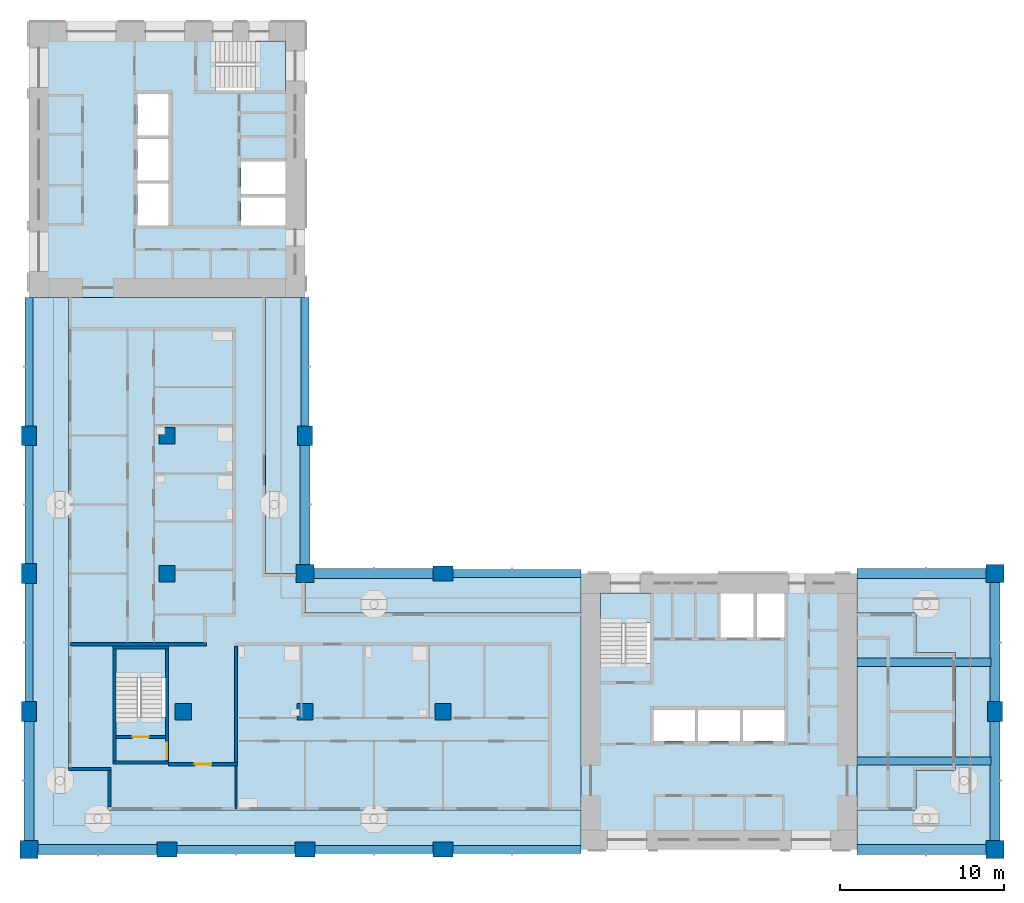
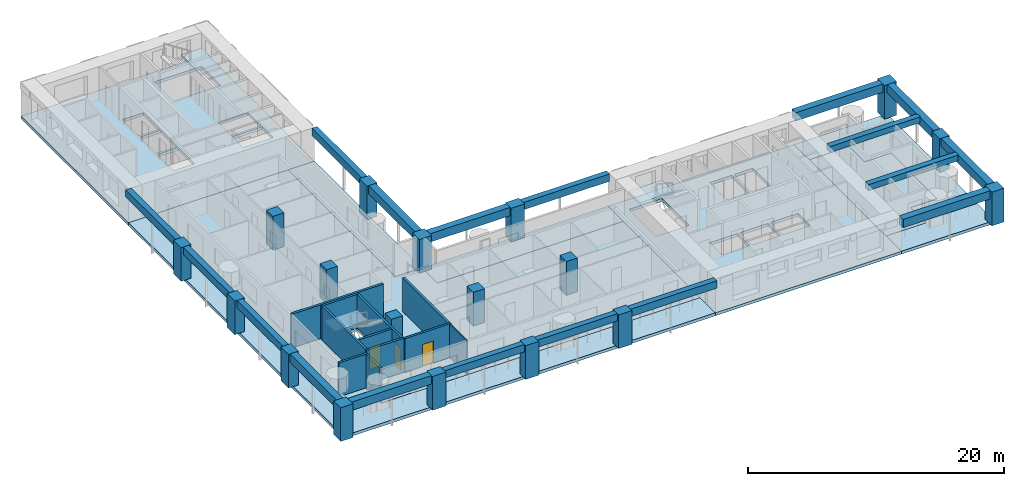
# One storey, part 1 of 13: 18 beams, 18 columns, 12 slabs, 11 walls, 3 doors, 3 openings, 3 elements without a shape of their own.
"""IFC4 building model written with IfcOpenShell, lengths in metres."""

from ifc_helpers import new_model, si_unit, direction, frame, frame_2d, origin, origin_2d, place, context, subcontext, project, spatial, polyline, rectangle, outline, extrude, material, layer, layer_set, material_profile, profile_set, type_object, element, fill, aggregate, save


model = new_model("IFC4")

# Units and contexts
model_context = context("Model", 3, precision=1e-05, world=origin(), true_north=direction((0.0, 1.0)))
body_context = subcontext(model_context, "Body", "Model", "MODEL_VIEW")
ifc_project = project(units=[si_unit("LENGTHUNIT", "METRE"), si_unit("AREAUNIT", "SQUARE_METRE"), si_unit("VOLUMEUNIT", "CUBIC_METRE"), si_unit("PLANEANGLEUNIT", "RADIAN"), si_unit("MASSUNIT", "GRAM", prefix="KILO")], contexts=[model_context])

# Site, building, storey
site_placement = place(None, origin())
site = spatial("IfcSite", under=ifc_project, at=site_placement, CompositionType="ELEMENT")
building_placement = place(site_placement, origin())
building = spatial("IfcBuilding", under=site, at=building_placement, Name="Vermilion Gate Residences", CompositionType="ELEMENT")
storey_placement = place(building_placement, frame((0.0, 0.0, 161.699951171875)))
storey = spatial("IfcBuildingStorey", under=building, at=storey_placement, Name="L41", CompositionType="ELEMENT", Elevation=161.699951171875)

# Columns
ifc_material_1 = material(Name="Concrete C60", Category="concrete")
ifc_material_profile_1 = material_profile(ifc_material_1, rectangle(XDim=1.0, YDim=1.0, at=origin_2d()), Name="RC-1000x1000")
ifc_profile_set_1 = profile_set([ifc_material_profile_1], Name="Concrete C60")
column_type_1 = type_object("IfcColumnType", Name="RC COLUMN 1000 X 1000 C60", PredefinedType="COLUMN", material=ifc_profile_set_1)
for number, where, z_axis, x_axis, name in (
    (1, (17.800048828125, 16.800048828125, 0.0), (0.0, 0.0, 1.0), (1.0, 0.0, 0.0), "Column 3-C L41"),
    (2, (16.800048828125, 25.199951171875, 0.0), (0.0, 0.0, 1.0), (1.0, 0.0, 0.0), "Column 3-D L41"),
    (3, (16.800048828125, 33.60009765625, 0.0), (0.0, 0.0, 1.0), (1.0, 0.0, 0.0), "Column 3-E L41"),
    (4, (25.199951171875, 16.800048828125, 0.0), (0.0, 0.0, 1.0), (1.0, 0.0, 0.0), "Column 4-C L41"),
    (5, (33.60009765625, 16.800048828125, 0.0), (0.0, 0.0, 1.0), (1.0, 0.0, 0.0), "Column 5-C L41"),
):
    element("IfcColumn", number, at=place(storey_placement, frame(where, z_axis=z_axis, x_axis=x_axis)), inside=storey, type_object=column_type_1, Name=name, PredefinedType="COLUMN", context=body_context, shape_type="SweptSolid", body=[
        extrude(rectangle(XDim=1.0, YDim=1.0, at=origin_2d()), origin(), (0.0, 0.0, 1.0), 3.219970703125),
    ])
ifc_material_2 = material(Name="Concrete C60", Category="concrete")
ifc_material_profile_2 = material_profile(ifc_material_2, rectangle(XDim=1.10009765625, YDim=1.10009765625, at=origin_2d()), Name="RC-1100x1100")
ifc_profile_set_2 = profile_set([ifc_material_profile_2], Name="Concrete C60")
column_type_2 = type_object("IfcColumnType", Name="RC COLUMN 1100 X 1100 C60", PredefinedType="COLUMN", material=ifc_profile_set_2)
for number, where, z_axis, x_axis, name in (
    (6, (8.39990234375, 8.39990234375, 0.0), (0.0, 0.0, 1.0), (1.0, 0.0, 0.0), "Column 2-B L41"),
    (7, (25.199951171875, 25.199951171875, 0.0), (0.0, 0.0, 1.0), (1.0, 0.0, 0.0), "Column 4-D L41"),
    (8, (67.199951171875, 8.39990234375, 0.0), (0.0, 0.0, 1.0), (1.0, 0.0, 0.0), "Column 9-B L41"),
    (9, (67.199951171875, 25.199951171875, 0.0), (0.0, 0.0, 1.0), (1.0, 0.0, 0.0), "Column 9-D L41"),
):
    element("IfcColumn", number, at=place(storey_placement, frame(where, z_axis=z_axis, x_axis=x_axis)), inside=storey, type_object=column_type_2, Name=name, PredefinedType="COLUMN", context=body_context, shape_type="SweptSolid", body=[
        extrude(rectangle(XDim=1.10009765625, YDim=1.10009765625, at=origin_2d()), origin(), (0.0, 0.0, 1.0), 3.219970703125),
    ])
ifc_material_3 = material(Name="Concrete C60", Category="concrete")
ifc_material_profile_3 = material_profile(ifc_material_3, rectangle(XDim=1.199951171875, YDim=0.89990234375, at=origin_2d()), Name="RC-1200x900")
ifc_profile_set_3 = profile_set([ifc_material_profile_3], Name="Concrete C60")
column_type_3 = type_object("IfcColumnType", Name="RC COLUMN 1200 X 900 C60", PredefinedType="COLUMN", material=ifc_profile_set_3)
for number, where, z_axis, x_axis, name in (
    (10, (8.39990234375, 16.800048828125, 0.0), (0.0, 0.0, 1.0), (0.0, 1.0, 0.0), "Column 2-C L41"),
    (11, (8.39990234375, 25.199951171875, 0.0), (0.0, 0.0, 1.0), (0.0, 1.0, 0.0), "Column 2-D L41"),
    (12, (8.39990234375, 33.60009765625, 0.0), (0.0, 0.0, 1.0), (0.0, 1.0, 0.0), "Column 2-E L41"),
    (13, (16.800048828125, 8.39990234375, 0.0), (0.0, 0.0, 1.0), (1.0, 0.0, 0.0), "Column 3-B L41"),
    (14, (25.199951171875, 8.39990234375, 0.0), (0.0, 0.0, 1.0), (1.0, 0.0, 0.0), "Column 4-B L41"),
    (15, (25.199951171875, 33.60009765625, 0.0), (0.0, 0.0, 1.0), (0.0, 1.0, 0.0), "Column 4-E L41"),
    (16, (33.60009765625, 8.39990234375, 0.0), (0.0, 0.0, 1.0), (1.0, 0.0, 0.0), "Column 5-B L41"),
    (17, (33.60009765625, 25.199951171875, 0.0), (0.0, 0.0, 1.0), (1.0, 0.0, 0.0), "Column 5-D L41"),
    (18, (67.199951171875, 16.800048828125, 0.0), (0.0, 0.0, 1.0), (0.0, 1.0, 0.0), "Column 9-C L41"),
):
    element("IfcColumn", number, at=place(storey_placement, frame(where, z_axis=z_axis, x_axis=x_axis)), inside=storey, type_object=column_type_3, Name=name, PredefinedType="COLUMN", context=body_context, shape_type="SweptSolid", body=[
        extrude(rectangle(XDim=1.199951171875, YDim=0.89990234375, at=origin_2d()), origin(), (0.0, 0.0, 1.0), 3.219970703125),
    ])

# Beams
ifc_material_4 = material(Name="Concrete C60 red-oxide pigmented", Category="concrete")
ifc_material_profile_4 = material_profile(ifc_material_4, rectangle(XDim=0.60009765625, YDim=0.800048828125, at=origin_2d()), Name="RC-600x800")
ifc_profile_set_4 = profile_set([ifc_material_profile_4], Name="Concrete C60 red-oxide pigmented")
beam_type_1 = type_object("IfcBeamType", Name="RC CORNER EDGE BEAM 600 X 800 C60", PredefinedType="BEAM", material=ifc_profile_set_4)
for number, where, z_axis, x_axis, name in (
    (19, (8.949951171875, 8.39990234375, 2.820068359375), (1.0, 0.0, 0.0), (0.0, 1.0, 0.0), "Corner edge beam L41 1"),
    (20, (8.39990234375, 8.949951171875, 2.820068359375), (0.0, 1.0, 0.0), (-1.0, 0.0, 0.0), "Corner edge beam L41 2"),
    (21, (25.199951171875, 25.75, 2.820068359375), (0.0, 1.0, 0.0), (-1.0, 0.0, 0.0), "Corner edge beam L41 7"),
    (22, (25.75, 25.199951171875, 2.820068359375), (1.0, 0.0, 0.0), (0.0, 1.0, 0.0), "Corner edge beam L41 10"),
):
    element("IfcBeam", number, at=place(storey_placement, frame(where, z_axis=z_axis, x_axis=x_axis)), inside=storey, type_object=beam_type_1, Name=name, PredefinedType="BEAM", context=body_context, shape_type="SweptSolid", body=[
        extrude(rectangle(XDim=0.60009765625, YDim=0.800048828125, at=origin_2d()), origin(), (0.0, 0.0, 1.0), 7.25),
    ])
beam_1_placement = place(storey_placement, frame((58.800048828125, 8.39990234375, 2.820068359375), z_axis=(1.0, 0.0, 0.0), x_axis=(0.0, 1.0, 0.0)))
element("IfcBeam", 23, at=beam_1_placement, inside=storey, type_object=beam_type_1, Name="Corner edge beam L41 13", PredefinedType="BEAM", context=body_context, shape_type="SweptSolid", body=[
    extrude(rectangle(XDim=0.60009765625, YDim=0.800048828125, at=origin_2d()), origin(), (0.0, 0.0, 1.0), 7.849853515625),
])
for number, where, z_axis, x_axis, name in (
    (24, (67.199951171875, 8.949951171875, 2.820068359375), (0.0, 1.0, 0.0), (-1.0, 0.0, 0.0), "Corner edge beam L41 14"),
    (25, (67.199951171875, 17.39990234375, 2.820068359375), (0.0, 1.0, 0.0), (-1.0, 0.0, 0.0), "Corner edge beam L41 15"),
):
    element("IfcBeam", number, at=place(storey_placement, frame(where, z_axis=z_axis, x_axis=x_axis)), inside=storey, type_object=beam_type_1, Name=name, PredefinedType="BEAM", context=body_context, shape_type="SweptSolid", body=[
        extrude(rectangle(XDim=0.60009765625, YDim=0.800048828125, at=origin_2d()), origin(), (0.0, 0.0, 1.0), 7.25),
    ])
beam_2_placement = place(storey_placement, frame((58.800048828125, 25.199951171875, 2.820068359375), z_axis=(1.0, 0.0, 0.0), x_axis=(0.0, 1.0, 0.0)))
element("IfcBeam", 26, at=beam_2_placement, inside=storey, type_object=beam_type_1, Name="Corner edge beam L41 16", PredefinedType="BEAM", context=body_context, shape_type="SweptSolid", body=[
    extrude(rectangle(XDim=0.60009765625, YDim=0.800048828125, at=origin_2d()), origin(), (0.0, 0.0, 1.0), 7.849853515625),
])
ifc_material_5 = material(Name="Concrete C60 red-oxide pigmented", Category="concrete")
ifc_material_profile_5 = material_profile(ifc_material_5, rectangle(XDim=0.5, YDim=0.699951171875, at=origin_2d()), Name="RC-500x700")
ifc_profile_set_5 = profile_set([ifc_material_profile_5], Name="Concrete C60 red-oxide pigmented")
beam_type_2 = type_object("IfcBeamType", Name="RC EDGE BEAM 500 X 700 C60", PredefinedType="BEAM", material=ifc_profile_set_5)
beam_3_placement = place(storey_placement, frame((8.39990234375, 17.39990234375, 2.8701171875), z_axis=(0.0, 1.0, 0.0), x_axis=(-1.0, 0.0, 0.0)))
element("IfcBeam", 27, at=beam_3_placement, inside=storey, type_object=beam_type_2, Name="Edge beam L41 3", PredefinedType="BEAM", context=body_context, shape_type="SweptSolid", body=[
    extrude(rectangle(XDim=0.5, YDim=0.699951171875, at=origin_2d()), origin(), (0.0, 0.0, 1.0), 7.2001953125),
])
beam_4_placement = place(storey_placement, frame((8.39990234375, 25.800048828125, 2.8701171875), z_axis=(0.0, 1.0, 0.0), x_axis=(-1.0, 0.0, 0.0)))
element("IfcBeam", 28, at=beam_4_placement, inside=storey, type_object=beam_type_2, Name="Edge beam L41 4", PredefinedType="BEAM", context=body_context, shape_type="SweptSolid", body=[
    extrude(rectangle(XDim=0.5, YDim=0.699951171875, at=origin_2d()), origin(), (0.0, 0.0, 1.0), 7.199951171875),
])
beam_5_placement = place(storey_placement, frame((8.39990234375, 34.199951171875, 2.8701171875), z_axis=(0.0, 1.0, 0.0), x_axis=(-1.0, 0.0, 0.0)))
element("IfcBeam", 29, at=beam_5_placement, inside=storey, type_object=beam_type_2, Name="Edge beam L41 5", PredefinedType="BEAM", context=body_context, shape_type="SweptSolid", body=[
    extrude(rectangle(XDim=0.5, YDim=0.699951171875, at=origin_2d()), origin(), (0.0, 0.0, 1.0), 7.800048828125),
])
beam_6_placement = place(storey_placement, frame((17.39990234375, 8.39990234375, 2.8701171875), z_axis=(1.0, 0.0, 0.0), x_axis=(0.0, 1.0, 0.0)))
element("IfcBeam", 30, at=beam_6_placement, inside=storey, type_object=beam_type_2, Name="Edge beam L41 6", PredefinedType="BEAM", context=body_context, shape_type="SweptSolid", body=[
    extrude(rectangle(XDim=0.5, YDim=0.699951171875, at=origin_2d()), origin(), (0.0, 0.0, 1.0), 7.2001953125),
])
beam_7_placement = place(storey_placement, frame((25.199951171875, 34.199951171875, 2.8701171875), z_axis=(0.0, 1.0, 0.0), x_axis=(-1.0, 0.0, 0.0)))
element("IfcBeam", 31, at=beam_7_placement, inside=storey, type_object=beam_type_2, Name="Edge beam L41 8", PredefinedType="BEAM", context=body_context, shape_type="SweptSolid", body=[
    extrude(rectangle(XDim=0.5, YDim=0.699951171875, at=origin_2d()), origin(), (0.0, 0.0, 1.0), 7.800048828125),
])
beam_8_placement = place(storey_placement, frame((25.800048828125, 8.39990234375, 2.8701171875), z_axis=(1.0, 0.0, 0.0), x_axis=(0.0, 1.0, 0.0)))
element("IfcBeam", 32, at=beam_8_placement, inside=storey, type_object=beam_type_2, Name="Edge beam L41 9", PredefinedType="BEAM", context=body_context, shape_type="SweptSolid", body=[
    extrude(rectangle(XDim=0.5, YDim=0.699951171875, at=origin_2d()), origin(), (0.0, 0.0, 1.0), 7.199951171875),
])
for number, where, z_axis, x_axis, name in (
    (33, (34.199951171875, 8.39990234375, 2.8701171875), (1.0, 0.0, 0.0), (0.0, 1.0, 0.0), "Edge beam L41 11"),
    (34, (34.199951171875, 25.199951171875, 2.8701171875), (1.0, 0.0, 0.0), (0.0, 1.0, 0.0), "Edge beam L41 12"),
):
    element("IfcBeam", number, at=place(storey_placement, frame(where, z_axis=z_axis, x_axis=x_axis)), inside=storey, type_object=beam_type_2, Name=name, PredefinedType="BEAM", context=body_context, shape_type="SweptSolid", body=[
        extrude(rectangle(XDim=0.5, YDim=0.699951171875, at=origin_2d()), origin(), (0.0, 0.0, 1.0), 7.800048828125),
    ])
ifc_material_6 = material(Name="Concrete C60", Category="concrete")
ifc_material_profile_6 = material_profile(ifc_material_6, rectangle(XDim=0.5, YDim=0.550048828125, at=origin_2d()), Name="RC-500x550")
ifc_profile_set_6 = profile_set([ifc_material_profile_6], Name="Concrete C60")
beam_type_3 = type_object("IfcBeamType", Name="RC WING BEAM 500 X 550 C60", PredefinedType="BEAM", material=ifc_profile_set_6)
for number, where, z_axis, x_axis, name in (
    (35, (58.800048828125, 13.800048828125, 2.945068359375), (1.0, 0.0, 0.0), (0.0, 1.0, 0.0), "Wing-end beam L41 1"),
    (36, (58.800048828125, 19.800048828125, 2.945068359375), (1.0, 0.0, 0.0), (0.0, 1.0, 0.0), "Wing-end beam L41 2"),
):
    element("IfcBeam", number, at=place(storey_placement, frame(where, z_axis=z_axis, x_axis=x_axis)), inside=storey, type_object=beam_type_3, Name=name, PredefinedType="BEAM", context=body_context, shape_type="SweptSolid", body=[
        extrude(rectangle(XDim=0.5, YDim=0.550048828125, at=origin_2d()), origin(), (0.0, 0.0, 1.0), 8.14990234375),
    ])

# Slabs
ifc_material_7 = material(Name="Concrete C50", Category="concrete")
ifc_layer_1 = layer(ifc_material_7, 0.280029296875)
ifc_layer_set_1 = layer_set([ifc_layer_1], Name="RC CORE FLOOR SLAB 280 C50")
slab_type_1 = type_object("IfcSlabType", Name="RC CORE FLOOR SLAB 280 C50", PredefinedType="FLOOR", material=ifc_layer_set_1)
slab_1_placement = place(storey_placement, frame((0.0, 0.0, -0.280029296875)))
element("IfcSlab", 37, at=slab_1_placement, inside=storey, type_object=slab_type_1, Name="Core floor slab A41", PredefinedType="FLOOR", context=body_context, shape_type="SweptSolid", body=[
    extrude(outline(polyline([(42.0, 8.39990234375), (58.800048828125, 8.39990234375), (58.800048828125, 25.199951171875), (42.0, 25.199951171875), (42.0, 8.39990234375)]), holes=[polyline([(46.39990234375, 15.0), (46.39990234375, 16.89990234375), (48.933349609375, 16.89990234375), (48.933349609375, 15.0), (46.39990234375, 15.0)]), polyline([(49.13330078125, 16.89990234375), (51.666748046875, 16.89990234375), (51.666748046875, 15.0), (49.13330078125, 15.0), (49.13330078125, 16.89990234375)]), polyline([(51.86669921875, 16.89990234375), (54.39990234375, 16.89990234375), (54.39990234375, 15.0), (51.86669921875, 15.0), (51.86669921875, 16.89990234375)]), polyline([(43.199951171875, 19.75), (43.199951171875, 24.0), (46.199951171875, 24.0), (46.199951171875, 19.75), (43.199951171875, 19.75)]), polyline([(50.5, 24.0), (52.5, 24.0), (52.5, 21.300048828125), (50.5, 21.300048828125), (50.5, 24.0)]), polyline([(52.699951171875, 24.0), (54.39990234375, 24.0), (54.39990234375, 21.300048828125), (52.699951171875, 21.300048828125), (52.699951171875, 24.0)])]), origin(), (0.0, 0.0, 1.0), 0.280029296875),
])
slab_2_placement = place(storey_placement, frame((0.0, 0.0, -0.280029296875)))
element("IfcSlab", 38, at=slab_2_placement, inside=storey, type_object=slab_type_1, Name="Core floor slab B41", PredefinedType="FLOOR", context=body_context, shape_type="SweptSolid", body=[
    extrude(outline(polyline([(8.39990234375, 42.0), (25.199951171875, 42.0), (25.199951171875, 58.800048828125), (8.39990234375, 58.800048828125), (8.39990234375, 42.0)]), holes=[polyline([(21.300048828125, 46.39990234375), (21.300048828125, 48.10009765625), (24.0, 48.10009765625), (24.0, 46.39990234375), (21.300048828125, 46.39990234375)]), polyline([(15.0, 48.933349609375), (16.89990234375, 48.933349609375), (16.89990234375, 46.39990234375), (15.0, 46.39990234375), (15.0, 48.933349609375)]), polyline([(21.300048828125, 50.300048828125), (24.0, 50.300048828125), (24.0, 48.300048828125), (21.300048828125, 48.300048828125), (21.300048828125, 50.300048828125)]), polyline([(15.0, 49.13330078125), (15.0, 51.666748046875), (16.89990234375, 51.666748046875), (16.89990234375, 49.13330078125), (15.0, 49.13330078125)]), polyline([(15.0, 54.39990234375), (16.89990234375, 54.39990234375), (16.89990234375, 51.86669921875), (15.0, 51.86669921875), (15.0, 54.39990234375)]), polyline([(19.75, 57.60009765625), (24.0, 57.60009765625), (24.0, 54.60009765625), (19.75, 54.60009765625), (19.75, 57.60009765625)])]), origin(), (0.0, 0.0, 1.0), 0.280029296875),
])
slab_3_placement = place(storey_placement, frame((0.0, 0.0, -0.280029296875)))
element("IfcSlab", 39, at=slab_3_placement, inside=storey, type_object=slab_type_1, Name="Apex stair floor slab 41", PredefinedType="FLOOR", context=body_context, shape_type="SweptSolid", body=[
    extrude(outline(polyline([(13.5, 13.60009765625), (16.89990234375, 13.60009765625), (16.89990234375, 20.800048828125), (13.5, 20.800048828125), (13.5, 13.60009765625)]), holes=[polyline([(16.699951171875, 20.60009765625), (16.699951171875, 16.449951171875), (13.699951171875, 16.449951171875), (13.699951171875, 20.60009765625), (16.699951171875, 20.60009765625)])]), origin(), (0.0, 0.0, 1.0), 0.280029296875),
])
ifc_material_8 = material(Name="Concrete C50", Category="concrete")
ifc_layer_2 = layer(ifc_material_8, 0.280029296875)
ifc_layer_set_2 = layer_set([ifc_layer_2], Name="RC FLAT PLATE 280 C50")
slab_type_2 = type_object("IfcSlabType", Name="RC FLAT PLATE 280 C50", PredefinedType="FLOOR", material=ifc_layer_set_2)
slab_4_placement = place(storey_placement, frame((0.0, 0.0, -0.280029296875)))
element("IfcSlab", 40, at=slab_4_placement, inside=storey, type_object=slab_type_2, Name="Floor slab L41", PredefinedType="FLOOR", context=body_context, shape_type="SweptSolid", body=[
    extrude(outline(polyline([(22.800048828125, 25.199951171875), (22.800048828125, 42.0), (10.800048828125, 42.0), (10.800048828125, 13.199951171875), (13.199951171875, 13.199951171875), (13.199951171875, 10.800048828125), (42.0, 10.800048828125), (42.0, 22.800048828125), (25.199951171875, 22.800048828125), (25.199951171875, 25.199951171875), (22.800048828125, 25.199951171875)]), holes=[polyline([(13.5, 13.60009765625), (13.5, 20.800048828125), (16.89990234375, 20.800048828125), (16.89990234375, 13.60009765625), (13.5, 13.60009765625)])]), origin(), (0.0, 0.0, 1.0), 0.280029296875),
])
slab_5_placement = place(storey_placement, frame((0.0, 0.0, -0.280029296875)))
element("IfcSlab", 41, at=slab_5_placement, inside=storey, type_object=slab_type_2, Name="Floor slab L41", PredefinedType="FLOOR", context=body_context, shape_type="SweptSolid", body=[
    extrude(outline(polyline([(58.800048828125, 22.800048828125), (58.800048828125, 10.800048828125), (62.39990234375, 10.800048828125), (62.39990234375, 13.199951171875), (64.800048828125, 13.199951171875), (64.800048828125, 20.39990234375), (62.39990234375, 20.39990234375), (62.39990234375, 22.800048828125), (58.800048828125, 22.800048828125)])), origin(), (0.0, 0.0, 1.0), 0.280029296875),
])
ifc_material_9 = material(Name="Concrete C50 red-oxide pigmented", Category="concrete")
ifc_layer_3 = layer(ifc_material_9, 0.280029296875)
ifc_layer_set_3 = layer_set([ifc_layer_3], Name="RC LOGGIA SLAB 280 C50")
slab_type_3 = type_object("IfcSlabType", Name="RC LOGGIA SLAB 280 C50", PredefinedType="FLOOR", material=ifc_layer_set_3)
slab_6_placement = place(storey_placement, frame((0.0, 0.0, -0.280029296875)))
element("IfcSlab", 42, at=slab_6_placement, inside=storey, type_object=slab_type_3, Name="Loggia slab L41", PredefinedType="FLOOR", context=body_context, shape_type="SweptSolid", body=[
    extrude(outline(polyline([(8.39990234375, 42.0), (8.39990234375, 8.39990234375), (42.0, 8.39990234375), (42.0, 10.800048828125), (13.199951171875, 10.800048828125), (13.199951171875, 13.199951171875), (10.800048828125, 13.199951171875), (10.800048828125, 42.0), (8.39990234375, 42.0)])), origin(), (0.0, 0.0, 1.0), 0.280029296875),
])
slab_7_placement = place(storey_placement, frame((0.0, 0.0, -0.280029296875)))
element("IfcSlab", 43, at=slab_7_placement, inside=storey, type_object=slab_type_3, Name="Loggia slab L41", PredefinedType="FLOOR", context=body_context, shape_type="SweptSolid", body=[
    extrude(outline(polyline([(64.800048828125, 13.199951171875), (62.39990234375, 13.199951171875), (62.39990234375, 10.800048828125), (58.800048828125, 10.800048828125), (58.800048828125, 8.39990234375), (67.199951171875, 8.39990234375), (67.199951171875, 25.199951171875), (58.800048828125, 25.199951171875), (58.800048828125, 22.800048828125), (62.39990234375, 22.800048828125), (62.39990234375, 20.39990234375), (64.800048828125, 20.39990234375), (64.800048828125, 13.199951171875)])), origin(), (0.0, 0.0, 1.0), 0.280029296875),
])
slab_8_placement = place(storey_placement, frame((0.0, 0.0, -0.280029296875)))
element("IfcSlab", 44, at=slab_8_placement, inside=storey, type_object=slab_type_3, Name="Loggia slab L41", PredefinedType="FLOOR", context=body_context, shape_type="SweptSolid", body=[
    extrude(outline(polyline([(42.0, 25.199951171875), (25.199951171875, 25.199951171875), (25.199951171875, 22.800048828125), (42.0, 22.800048828125), (42.0, 25.199951171875)])), origin(), (0.0, 0.0, 1.0), 0.280029296875),
])
slab_9_placement = place(storey_placement, frame((0.0, 0.0, -0.280029296875)))
element("IfcSlab", 45, at=slab_9_placement, inside=storey, type_object=slab_type_3, Name="Loggia slab L41", PredefinedType="FLOOR", context=body_context, shape_type="SweptSolid", body=[
    extrude(outline(polyline([(22.800048828125, 42.0), (22.800048828125, 25.199951171875), (25.199951171875, 25.199951171875), (25.199951171875, 42.0), (22.800048828125, 42.0)])), origin(), (0.0, 0.0, 1.0), 0.280029296875),
])

# Stair, slab
ifc_material_10 = material(Name="Concrete C50", Category="concrete")
stair_type = type_object("IfcStairType", Name="SPECIAL ESCAPE STAIR 1300", PredefinedType="HALF_TURN_STAIR", material=ifc_material_10)
stair_1_placement = place(storey_placement, origin())
stair_1 = element("IfcStair", 46, at=stair_1_placement, inside=storey, type_object=stair_type, Name="Special escape stair STA1-41", PredefinedType="HALF_TURN_STAIR")
ifc_material_11 = material(Name="Concrete C50", Category="concrete")
ifc_layer_4 = layer(ifc_material_11, 0.199951171875)
ifc_layer_set_4 = layer_set([ifc_layer_4], Name="STAIR LANDING 200 C50")
slab_type_4 = type_object("IfcSlabType", Name="STAIR LANDING 200 C50", PredefinedType="LANDING", material=ifc_layer_set_4)
slab_10_placement = place(storey_placement, frame((0.0, 0.0, 1.550048828125)))
slab_10 = element("IfcSlab", 47, at=slab_10_placement, type_object=slab_type_4, Name="STA1-41 landing 1", PredefinedType="LANDING", context=body_context, shape_type="SweptSolid", body=[
    extrude(outline(polyline([(46.219970703125, 22.179931640625), (46.219970703125, 24.02001953125), (43.179931640625, 24.02001953125), (43.179931640625, 22.179931640625), (46.219970703125, 22.179931640625)])), origin(), (0.0, 0.0, 1.0), 0.199951171875),
])
aggregate(stair_1, [slab_10])

stair_2_placement = place(storey_placement, origin())
stair_2 = element("IfcStair", 48, at=stair_2_placement, inside=storey, type_object=stair_type, Name="Special escape stair STB1-41", PredefinedType="HALF_TURN_STAIR")
slab_11_placement = place(storey_placement, frame((0.0, 0.0, 1.550048828125)))
slab_11 = element("IfcSlab", 49, at=slab_11_placement, type_object=slab_type_4, Name="STB1-41 landing 1", PredefinedType="LANDING", context=body_context, shape_type="SweptSolid", body=[
    extrude(outline(polyline([(24.02001953125, 54.580078125), (24.02001953125, 57.6201171875), (22.179931640625, 57.6201171875), (22.179931640625, 54.580078125), (24.02001953125, 54.580078125)])), origin(), (0.0, 0.0, 1.0), 0.199951171875),
])
aggregate(stair_2, [slab_11])

stair_3_placement = place(storey_placement, origin())
stair_3 = element("IfcStair", 50, at=stair_3_placement, inside=storey, type_object=stair_type, Name="Special escape stair STC1-41", PredefinedType="HALF_TURN_STAIR")
slab_12_placement = place(storey_placement, frame((0.0, 0.0, 1.550048828125)))
slab_12 = element("IfcSlab", 51, at=slab_12_placement, type_object=slab_type_4, Name="STC1-41 landing 1", PredefinedType="LANDING", context=body_context, shape_type="SweptSolid", body=[
    extrude(outline(polyline([(16.719970703125, 18.8798828125), (16.719970703125, 20.6201171875), (13.679931640625, 20.6201171875), (13.679931640625, 18.8798828125), (16.719970703125, 18.8798828125)])), origin(), (0.0, 0.0, 1.0), 0.199951171875),
])
aggregate(stair_3, [slab_12])

# Walls
ifc_material_12 = material(Name="Insulated steel stud wall with terracotta rainscreen", Category="masonry")
ifc_layer_5 = layer(ifc_material_12, 0.199951171875)
ifc_layer_set_5 = layer_set([ifc_layer_5], Name="EXTERNAL WALL 200 TERRACOTTA RAINSCREEN")
wall_type_1 = type_object("IfcWallType", Name="EXTERNAL WALL 200 TERRACOTTA RAINSCREEN", PredefinedType="SOLIDWALL", material=ifc_layer_set_5)
wall_1_placement = place(storey_placement, frame((10.800048828125, 13.300048828125, 0.0), z_axis=(0.0, 0.0, 1.0), x_axis=(1.0, 0.0, 0.0)))
element("IfcWall", 52, at=wall_1_placement, inside=storey, type_object=wall_type_1, Name="External wall", PredefinedType="SOLIDWALL", context=body_context, shape_type="SweptSolid", body=[
    extrude(rectangle(XDim=2.599853515625, YDim=0.199951171875, at=frame_2d((1.2998046875, 0.0))), origin(), (0.0, 0.0, 1.0), 3.219970703125),
])
wall_2_placement = place(storey_placement, frame((13.300048828125, 13.199951171875, 0.0), z_axis=(0.0, 0.0, 1.0), x_axis=(0.0, -1.0, 0.0)))
element("IfcWall", 53, at=wall_2_placement, inside=storey, type_object=wall_type_1, Name="External wall", PredefinedType="SOLIDWALL", context=body_context, shape_type="SweptSolid", body=[
    extrude(rectangle(XDim=2.199951171875, YDim=0.199951171875, at=frame_2d((1.10009765625, 0.0))), origin(), (0.0, 0.0, 1.0), 3.219970703125),
])
ifc_material_13 = material(Name="Plasterboard on steel studs", Category="steel")
ifc_layer_6 = layer(ifc_material_13, 0.10009765625)
ifc_layer_set_6 = layer_set([ifc_layer_6], Name="PARTITION 100")
wall_type_2 = type_object("IfcWallType", Name="PARTITION 100", PredefinedType="PARTITIONING", material=ifc_layer_set_6)
wall_3_placement = place(storey_placement, frame((21.0, 10.89990234375, 0.0), z_axis=(0.0, 0.0, 1.0), x_axis=(0.0, 1.0, 0.0)))
element("IfcWall", 54, at=wall_3_placement, inside=storey, type_object=wall_type_2, Name="Partition", PredefinedType="PARTITIONING", context=body_context, shape_type="SweptSolid", body=[
    extrude(rectangle(XDim=2.60009765625, YDim=0.10009765625, at=frame_2d((1.300048828125, 0.0))), origin(), (0.0, 0.0, 1.0), 3.219970703125),
])

# Wall, opening, door
ifc_material_14 = material(Name="Fire-rated plasterboard on steel studs", Category="steel")
ifc_layer_7 = layer(ifc_material_14, 0.199951171875)
ifc_layer_set_7 = layer_set([ifc_layer_7], Name="PARTY WALL 200 EI 120")
wall_type_3 = type_object("IfcWallType", Name="PARTY WALL 200 EI 120", PredefinedType="PARTITIONING", material=ifc_layer_set_7)
wall_4_placement = place(storey_placement, frame((16.89990234375, 13.60009765625, 0.0), z_axis=(0.0, 0.0, 1.0), x_axis=(1.0, 0.0, 0.0)))
wall_4 = element("IfcWall", 55, at=wall_4_placement, inside=storey, type_object=wall_type_3, Name="Party and corridor wall", PredefinedType="PARTITIONING", context=body_context, shape_type="SweptSolid", body=[
    extrude(rectangle(XDim=4.2001953125, YDim=0.199951171875, at=frame_2d((2.10009765625, 0.0))), origin(), (0.0, 0.0, 1.0), 3.219970703125),
])
opening_1_placement = place(wall_4_placement, frame((1.60009765625, 0.0, 0.0)))
opening_1 = element("IfcOpeningElement", 56, at=opening_1_placement, cuts=wall_4, Name="Opening DA40001", PredefinedType="OPENING", context=body_context, shape_type="SweptSolid", body=[
    extrude(rectangle(XDim=1.0, YDim=2.10009765625, at=frame_2d((0.5, 1.050048828125))), frame((0.0, 0.10986328125, 0.0), z_axis=(0.0, -1.0, 0.0), x_axis=(1.0, 0.0, 0.0)), (0.0, 0.0, 1.0), 0.219970703125),
])
ifc_material_15 = material(Name="Steel", Category="steel")
door_type_1 = type_object("IfcDoorType", Name="ENTRANCE DOOR 1000 X 2100 FD30", OperationType="SINGLE_SWING_LEFT", PredefinedType="DOOR", material=ifc_material_15)
door_1_placement = place(opening_1_placement, frame((1.0, 0.0, 0.0), z_axis=(0.0, 0.0, 1.0), x_axis=(-1.0, 0.0, 0.0)))
door_1 = element("IfcDoor", 57, at=door_1_placement, inside=storey, type_object=door_type_1, Name="Entrance door", OperationType="SINGLE_SWING_LEFT", OverallHeight=2.10009765625, OverallWidth=1.0, PredefinedType="DOOR", context=body_context, shape_type="SweptSolid", body=[
    extrude(rectangle(XDim=1.0, YDim=2.10009765625, at=frame_2d((0.5, 1.050048828125))), frame((0.0, 0.02490234375, 0.0), z_axis=(0.0, -1.0, 0.0), x_axis=(1.0, 0.0, 0.0)), (0.0, 0.0, 1.0), 0.050048828125),
])
fill(opening_1, door_1)

# Walls
wall_5_placement = place(storey_placement, frame((10.89990234375, 20.89990234375, 0.0), z_axis=(0.0, 0.0, 1.0), x_axis=(1.0, 0.0, 0.0)))
element("IfcWall", 58, at=wall_5_placement, inside=storey, type_object=wall_type_3, Name="Party and corridor wall", PredefinedType="PARTITIONING", context=body_context, shape_type="SweptSolid", body=[
    extrude(rectangle(XDim=8.300048828125, YDim=0.199951171875, at=frame_2d((4.14990234375, 0.0))), origin(), (0.0, 0.0, 1.0), 3.219970703125),
])
wall_6_placement = place(storey_placement, frame((21.0, 13.699951171875, 0.0), z_axis=(0.0, 0.0, 1.0), x_axis=(0.0, 1.0, 0.0)))
element("IfcWall", 59, at=wall_6_placement, inside=storey, type_object=wall_type_3, Name="Party and corridor wall", PredefinedType="PARTITIONING", context=body_context, shape_type="SweptSolid", body=[
    extrude(rectangle(XDim=7.10009765625, YDim=0.199951171875, at=frame_2d((3.550048828125, 0.0))), origin(), (0.0, 0.0, 1.0), 3.219970703125),
])
ifc_material_16 = material(Name="Concrete C60", Category="concrete")
ifc_layer_8 = layer(ifc_material_16, 0.199951171875)
ifc_layer_set_8 = layer_set([ifc_layer_8], Name="RC CORE INTERNAL WALL 200 C60")
wall_type_4 = type_object("IfcWallType", Name="RC CORE INTERNAL WALL 200 C60", PredefinedType="SHEAR", material=ifc_layer_set_8)
wall_7_placement = place(storey_placement, frame((13.60009765625, 13.800048828125, 0.0), z_axis=(0.0, 0.0, 1.0), x_axis=(0.0, 1.0, 0.0)))
element("IfcWall", 60, at=wall_7_placement, inside=storey, type_object=wall_type_4, Name="Core internal wall C41-W", PredefinedType="SHEAR", context=body_context, shape_type="SweptSolid", body=[
    extrude(rectangle(XDim=6.800048828125, YDim=0.199951171875, at=frame_2d((3.39990234375, 0.0))), origin(), (0.0, 0.0, 1.0), 3.219970703125),
])

# Wall, opening, door
wall_8_placement = place(storey_placement, frame((16.800048828125, 13.800048828125, 0.0), z_axis=(0.0, 0.0, 1.0), x_axis=(0.0, 1.0, 0.0)))
wall_8 = element("IfcWall", 61, at=wall_8_placement, inside=storey, type_object=wall_type_4, Name="Core internal wall C41-E", PredefinedType="SHEAR", context=body_context, shape_type="SweptSolid", body=[
    extrude(rectangle(XDim=6.800048828125, YDim=0.199951171875, at=frame_2d((3.39990234375, 0.0))), origin(), (0.0, 0.0, 1.0), 3.219970703125),
])
opening_2_placement = place(wall_8_placement, frame((0.10009765625, 0.0, 0.0)))
opening_2 = element("IfcOpeningElement", 62, at=opening_2_placement, cuts=wall_8, Name="Opening DK41201", PredefinedType="OPENING", context=body_context, shape_type="SweptSolid", body=[
    extrude(rectangle(XDim=1.0, YDim=2.10009765625, at=frame_2d((0.5, 1.050048828125))), frame((0.0, 0.10986328125, 0.0), z_axis=(0.0, -1.0, 0.0), x_axis=(1.0, 0.0, 0.0)), (0.0, 0.0, 1.0), 0.219970703125),
])
ifc_material_17 = material(Name="Steel", Category="steel")
door_type_2 = type_object("IfcDoorType", Name="FIRE DOOR FD60 1000 X 2100", OperationType="SINGLE_SWING_LEFT", PredefinedType="DOOR", material=ifc_material_17)
door_2_placement = place(opening_2_placement, frame((1.0, 0.0, 0.0), z_axis=(0.0, 0.0, 1.0), x_axis=(-1.0, 0.0, 0.0)))
door_2 = element("IfcDoor", 63, at=door_2_placement, inside=storey, type_object=door_type_2, Name="Stair vestibule door C41", OperationType="SINGLE_SWING_RIGHT", OverallHeight=2.10009765625, OverallWidth=1.0, PredefinedType="DOOR", context=body_context, shape_type="SweptSolid", body=[
    extrude(rectangle(XDim=1.0, YDim=2.10009765625, at=frame_2d((0.5, 1.050048828125))), frame((0.0, 0.02490234375, 0.0), z_axis=(0.0, -1.0, 0.0), x_axis=(1.0, 0.0, 0.0)), (0.0, 0.0, 1.0), 0.050048828125),
])
fill(opening_2, door_2)

# Walls
for number, where, z_axis, x_axis, name in (
    (64, (13.5, 13.699951171875, 0.0), (0.0, 0.0, 1.0), (1.0, 0.0, 0.0), "Core internal wall C41-S"),
    (65, (13.5, 20.699951171875, 0.0), (0.0, 0.0, 1.0), (1.0, 0.0, 0.0), "Core internal wall C41-N"),
):
    element("IfcWall", number, at=place(storey_placement, frame(where, z_axis=z_axis, x_axis=x_axis)), inside=storey, type_object=wall_type_4, Name=name, PredefinedType="SHEAR", context=body_context, shape_type="SweptSolid", body=[
        extrude(rectangle(XDim=3.39990234375, YDim=0.199951171875, at=frame_2d((1.699951171875, 0.0))), origin(), (0.0, 0.0, 1.0), 3.219970703125),
    ])

# Wall, opening, door
wall_9_placement = place(storey_placement, frame((13.699951171875, 15.25, 0.0), z_axis=(0.0, 0.0, 1.0), x_axis=(1.0, 0.0, 0.0)))
wall_9 = element("IfcWall", 66, at=wall_9_placement, inside=storey, type_object=wall_type_4, Name="Core internal wall C41-P", PredefinedType="SHEAR", context=body_context, shape_type="SweptSolid", body=[
    extrude(rectangle(XDim=3.0, YDim=0.199951171875, at=frame_2d((1.5, 0.0))), origin(), (0.0, 0.0, 1.0), 3.219970703125),
])
opening_3_placement = place(wall_9_placement, frame((1.0, 0.0, 0.0)))
opening_3 = element("IfcOpeningElement", 67, at=opening_3_placement, cuts=wall_9, Name="Opening DK41202", PredefinedType="OPENING", context=body_context, shape_type="SweptSolid", body=[
    extrude(rectangle(XDim=1.0, YDim=2.10009765625, at=frame_2d((0.5, 1.050048828125))), frame((0.0, 0.10986328125, 0.0), z_axis=(0.0, -1.0, 0.0), x_axis=(1.0, 0.0, 0.0)), (0.0, 0.0, 1.0), 0.219970703125),
])
door_3_placement = place(opening_3_placement, origin())
door_3 = element("IfcDoor", 68, at=door_3_placement, inside=storey, type_object=door_type_2, Name="Stair door C41", OperationType="SINGLE_SWING_LEFT", OverallHeight=2.10009765625, OverallWidth=1.0, PredefinedType="DOOR", context=body_context, shape_type="SweptSolid", body=[
    extrude(rectangle(XDim=1.0, YDim=2.10009765625, at=frame_2d((0.5, 1.050048828125))), frame((0.0, 0.02490234375, 0.0), z_axis=(0.0, -1.0, 0.0), x_axis=(1.0, 0.0, 0.0)), (0.0, 0.0, 1.0), 0.050048828125),
])
fill(opening_3, door_3)

save(model, "model.ifc")
